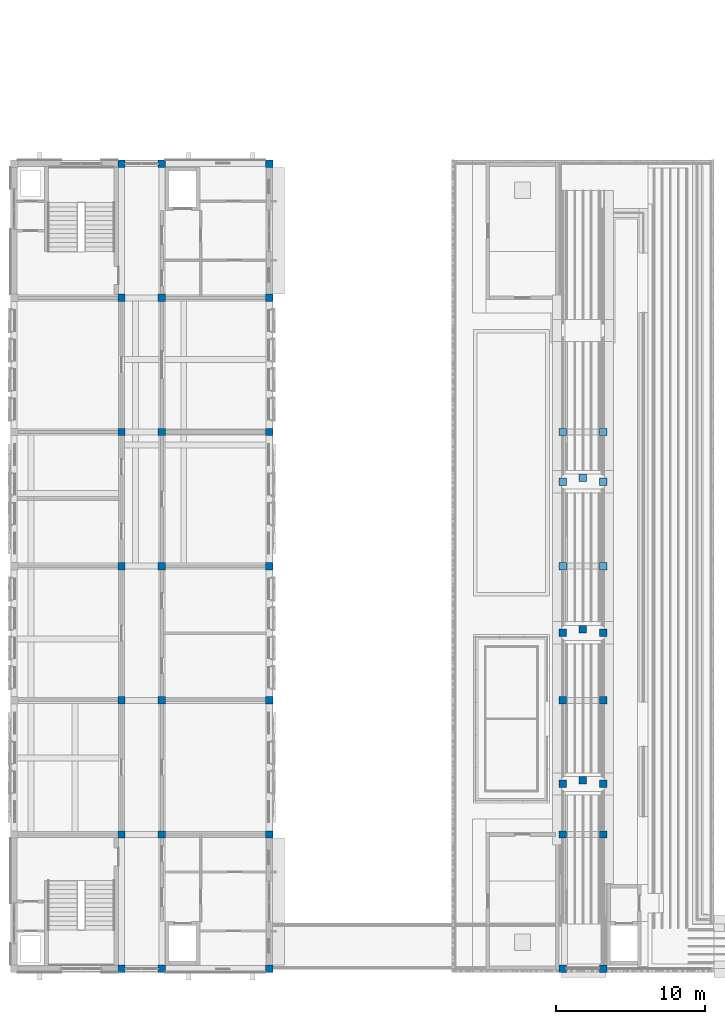
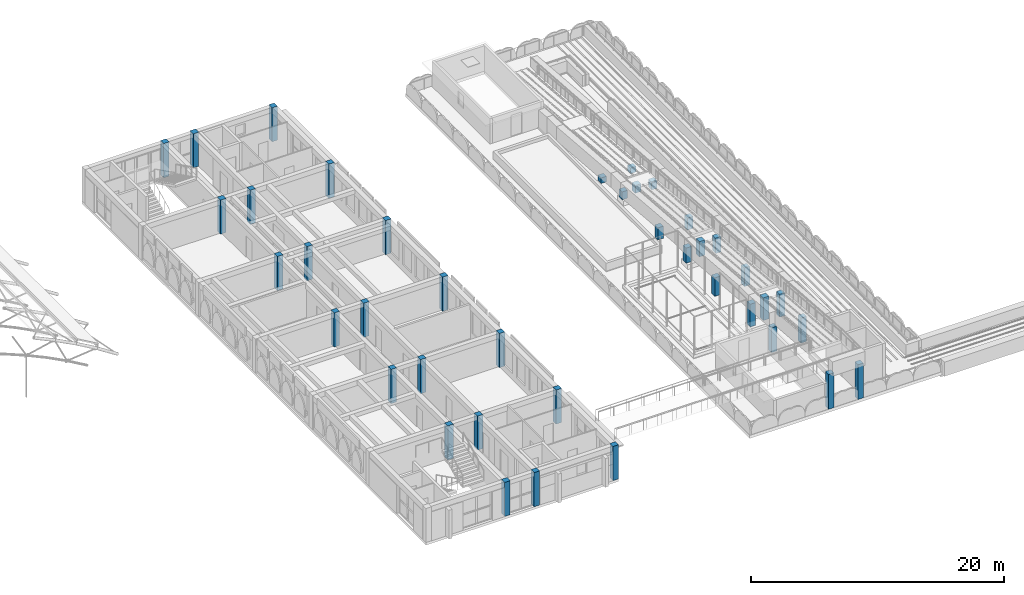
# One storey, part 4 of 50: 40 columns.
"""IFC4 building model written with IfcOpenShell, lengths in metres."""

from ifc_helpers import new_model, si_unit, direction, frame, origin, origin_2d, place, context, subcontext, project, spatial, rectangle, extrude, material, material_profile, profile_set, type_object, element, save


model = new_model("IFC4")

# Units and contexts
model_context = context("Model", 3, precision=1e-05, world=origin(), true_north=direction((0.0, 1.0)))
body_context = subcontext(model_context, "Body", "Model", "MODEL_VIEW")
ifc_project = project(units=[si_unit("LENGTHUNIT", "METRE"), si_unit("AREAUNIT", "SQUARE_METRE"), si_unit("VOLUMEUNIT", "CUBIC_METRE"), si_unit("PLANEANGLEUNIT", "RADIAN"), si_unit("MASSUNIT", "GRAM", prefix="KILO")], contexts=[model_context])

# Site, building, storey
site_placement = place(None, origin())
site = spatial("IfcSite", under=ifc_project, at=site_placement, CompositionType="ELEMENT")
building_placement = place(site_placement, origin())
building = spatial("IfcBuilding", under=site, at=building_placement, Name="Elbe Cascade School", CompositionType="ELEMENT")
storey_placement = place(building_placement, frame((0.0, 0.0, 15.300048828125)))
storey = spatial("IfcBuildingStorey", under=building, at=storey_placement, Name="L04", CompositionType="ELEMENT", Elevation=15.300048828125)

# Columns
ifc_material = material(Name="Concrete C30/37", Category="concrete")
ifc_material_profile = material_profile(ifc_material, rectangle(XDim=0.5, YDim=0.5, at=origin_2d()), Name="RC 500x500")
ifc_profile_set = profile_set([ifc_material_profile], Name="Concrete C30/37")
column_type = type_object("IfcColumnType", Name="RC 500x500 column", PredefinedType="COLUMN", material=ifc_profile_set)
for number, where, z_axis, x_axis, name in (
    (1, (76.199951171875, 6.0, 0.0), (0.0, 0.0, 1.0), (1.0, 0.0, 0.0), "RC 500x500 column C1"),
    (2, (76.199951171875, 15.0, 0.0), (0.0, 0.0, 1.0), (1.0, 0.0, 0.0), "RC 500x500 column C1"),
    (3, (76.199951171875, 24.0, 0.0), (0.0, 0.0, 1.0), (1.0, 0.0, 0.0), "RC 500x500 column C1"),
    (4, (76.199951171875, 33.0, 0.0), (0.0, 0.0, 1.0), (1.0, 0.0, 0.0), "RC 500x500 column C1"),
    (5, (76.199951171875, 42.0, 0.0), (0.0, 0.0, 1.0), (1.0, 0.0, 0.0), "RC 500x500 column C1"),
    (6, (76.199951171875, 51.0, 0.0), (0.0, 0.0, 1.0), (1.0, 0.0, 0.0), "RC 500x500 column C1"),
    (7, (76.199951171875, 60.0, 0.0), (0.0, 0.0, 1.0), (1.0, 0.0, 0.0), "RC 500x500 column C1"),
    (8, (78.89990234375, 6.0, 0.0), (0.0, 0.0, 1.0), (1.0, 0.0, 0.0), "RC 500x500 column C1"),
    (9, (78.89990234375, 15.0, 0.0), (0.0, 0.0, 1.0), (1.0, 0.0, 0.0), "RC 500x500 column C1"),
    (10, (78.89990234375, 24.0, 0.0), (0.0, 0.0, 1.0), (1.0, 0.0, 0.0), "RC 500x500 column C1"),
    (11, (78.89990234375, 33.0, 0.0), (0.0, 0.0, 1.0), (1.0, 0.0, 0.0), "RC 500x500 column C1"),
    (12, (78.89990234375, 42.0, 0.0), (0.0, 0.0, 1.0), (1.0, 0.0, 0.0), "RC 500x500 column C1"),
    (13, (78.89990234375, 51.0, 0.0), (0.0, 0.0, 1.0), (1.0, 0.0, 0.0), "RC 500x500 column C1"),
    (14, (78.89990234375, 60.0, 0.0), (0.0, 0.0, 1.0), (1.0, 0.0, 0.0), "RC 500x500 column C1"),
    (15, (86.10009765625, 6.0, 0.0), (0.0, 0.0, 1.0), (1.0, 0.0, 0.0), "RC 500x500 column C1"),
    (16, (86.10009765625, 15.0, 0.0), (0.0, 0.0, 1.0), (1.0, 0.0, 0.0), "RC 500x500 column C1"),
    (17, (86.10009765625, 24.0, 0.0), (0.0, 0.0, 1.0), (1.0, 0.0, 0.0), "RC 500x500 column C1"),
    (18, (86.10009765625, 33.0, 0.0), (0.0, 0.0, 1.0), (1.0, 0.0, 0.0), "RC 500x500 column C1"),
    (19, (86.10009765625, 42.0, 0.0), (0.0, 0.0, 1.0), (1.0, 0.0, 0.0), "RC 500x500 column C1"),
    (20, (86.10009765625, 51.0, 0.0), (0.0, 0.0, 1.0), (1.0, 0.0, 0.0), "RC 500x500 column C1"),
    (21, (86.10009765625, 60.0, 0.0), (0.0, 0.0, 1.0), (1.0, 0.0, 0.0), "RC 500x500 column C1"),
):
    element("IfcColumn", number, at=place(storey_placement, frame(where, z_axis=z_axis, x_axis=x_axis)), inside=storey, type_object=column_type, Name=name, PredefinedType="COLUMN", context=body_context, shape_type="SweptSolid", body=[
        extrude(rectangle(XDim=0.5, YDim=0.5, at=origin_2d()), origin(), (0.0, 0.0, 1.0), 3.300048828125),
    ])
for number, where, z_axis, x_axis, name in (
    (22, (105.800048828125, 6.0, 0.0), (0.0, 0.0, 1.0), (1.0, 0.0, 0.0), "RC 500x500 column C1"),
    (23, (108.5, 6.0, 0.0), (0.0, 0.0, 1.0), (1.0, 0.0, 0.0), "RC 500x500 column C1"),
):
    element("IfcColumn", number, at=place(storey_placement, frame(where, z_axis=z_axis, x_axis=x_axis)), inside=storey, type_object=column_type, Name=name, PredefinedType="COLUMN", context=body_context, shape_type="SweptSolid", body=[
        extrude(rectangle(XDim=0.5, YDim=0.5, at=origin_2d()), origin(), (0.0, 0.0, 1.0), 3.35986328125),
    ])
for number, where, z_axis, x_axis, name in (
    (24, (105.800048828125, 15.0, 0.0), (0.0, 0.0, 1.0), (1.0, 0.0, 0.0), "RC 500x500 column C1"),
    (25, (108.5, 15.0, 0.0), (0.0, 0.0, 1.0), (1.0, 0.0, 0.0), "RC 500x500 column C1"),
):
    element("IfcColumn", number, at=place(storey_placement, frame(where, z_axis=z_axis, x_axis=x_axis)), inside=storey, type_object=column_type, Name=name, PredefinedType="COLUMN", context=body_context, shape_type="SweptSolid", body=[
        extrude(rectangle(XDim=0.5, YDim=0.5, at=origin_2d()), origin(), (0.0, 0.0, 1.0), 2.409912109375),
    ])
for number, where, z_axis, x_axis, name in (
    (26, (105.800048828125, 24.0, 0.0), (0.0, 0.0, 1.0), (1.0, 0.0, 0.0), "RC 500x500 column C1"),
    (27, (108.5, 24.0, 0.0), (0.0, 0.0, 1.0), (1.0, 0.0, 0.0), "RC 500x500 column C1"),
):
    element("IfcColumn", number, at=place(storey_placement, frame(where, z_axis=z_axis, x_axis=x_axis)), inside=storey, type_object=column_type, Name=name, PredefinedType="COLUMN", context=body_context, shape_type="SweptSolid", body=[
        extrude(rectangle(XDim=0.5, YDim=0.5, at=origin_2d()), origin(), (0.0, 0.0, 1.0), 1.784912109375),
    ])
for number, where, z_axis, x_axis, name in (
    (28, (105.800048828125, 33.0, 0.0), (0.0, 0.0, 1.0), (1.0, 0.0, 0.0), "RC 500x500 column C1"),
    (29, (108.5, 33.0, 0.0), (0.0, 0.0, 1.0), (1.0, 0.0, 0.0), "RC 500x500 column C1"),
):
    element("IfcColumn", number, at=place(storey_placement, frame(where, z_axis=z_axis, x_axis=x_axis)), inside=storey, type_object=column_type, Name=name, PredefinedType="COLUMN", context=body_context, shape_type="SweptSolid", body=[
        extrude(rectangle(XDim=0.5, YDim=0.5, at=origin_2d()), origin(), (0.0, 0.0, 1.0), 1.159912109375),
    ])
for number, where, z_axis, x_axis, name in (
    (30, (105.800048828125, 42.0, 0.0), (0.0, 0.0, 1.0), (1.0, 0.0, 0.0), "RC 500x500 column C1"),
    (31, (108.5, 42.0, 0.0), (0.0, 0.0, 1.0), (1.0, 0.0, 0.0), "RC 500x500 column C1"),
):
    element("IfcColumn", number, at=place(storey_placement, frame(where, z_axis=z_axis, x_axis=x_axis)), inside=storey, type_object=column_type, Name=name, PredefinedType="COLUMN", context=body_context, shape_type="SweptSolid", body=[
        extrude(rectangle(XDim=0.5, YDim=0.5, at=origin_2d()), origin(), (0.0, 0.0, 1.0), 0.534912109375),
    ])
for number, where, z_axis, x_axis, name in (
    (32, (105.800048828125, 18.389892578125, 0.449951171875), (0.0, 0.0, 1.0), (1.0, 0.0, 0.0), "RC 500x500 column C1"),
    (33, (108.5, 18.389892578125, 0.449951171875), (0.0, 0.0, 1.0), (1.0, 0.0, 0.0), "RC 500x500 column C1"),
    (34, (107.14990234375, 18.639892578125, 0.449951171875), (0.0, 0.0, 1.0), (1.0, 0.0, 0.0), "RC 500x500 column C1"),
):
    element("IfcColumn", number, at=place(storey_placement, frame(where, z_axis=z_axis, x_axis=x_axis)), inside=storey, type_object=column_type, Name=name, PredefinedType="COLUMN", context=body_context, shape_type="SweptSolid", body=[
        extrude(rectangle(XDim=0.5, YDim=0.5, at=origin_2d()), origin(), (0.0, 0.0, 1.0), 2.18994140625),
    ])
for number, where, z_axis, x_axis, name in (
    (35, (105.800048828125, 28.530029296875, 0.449951171875), (0.0, 0.0, 1.0), (1.0, 0.0, 0.0), "RC 500x500 column C1"),
    (36, (108.5, 28.530029296875, 0.449951171875), (0.0, 0.0, 1.0), (1.0, 0.0, 0.0), "RC 500x500 column C1"),
    (37, (107.14990234375, 28.780029296875, 0.449951171875), (0.0, 0.0, 1.0), (1.0, 0.0, 0.0), "RC 500x500 column C1"),
):
    element("IfcColumn", number, at=place(storey_placement, frame(where, z_axis=z_axis, x_axis=x_axis)), inside=storey, type_object=column_type, Name=name, PredefinedType="COLUMN", context=body_context, shape_type="SweptSolid", body=[
        extrude(rectangle(XDim=0.5, YDim=0.5, at=origin_2d()), origin(), (0.0, 0.0, 1.0), 1.469970703125),
    ])
for number, where, z_axis, x_axis, name in (
    (38, (105.800048828125, 38.669921875, 0.449951171875), (0.0, 0.0, 1.0), (1.0, 0.0, 0.0), "RC 500x500 column C1"),
    (39, (108.5, 38.669921875, 0.449951171875), (0.0, 0.0, 1.0), (1.0, 0.0, 0.0), "RC 500x500 column C1"),
    (40, (107.14990234375, 38.919921875, 0.449951171875), (0.0, 0.0, 1.0), (1.0, 0.0, 0.0), "RC 500x500 column C1"),
):
    element("IfcColumn", number, at=place(storey_placement, frame(where, z_axis=z_axis, x_axis=x_axis)), inside=storey, type_object=column_type, Name=name, PredefinedType="COLUMN", context=body_context, shape_type="SweptSolid", body=[
        extrude(rectangle(XDim=0.5, YDim=0.5, at=origin_2d()), origin(), (0.0, 0.0, 1.0), 0.75),
    ])

save(model, "model.ifc")
